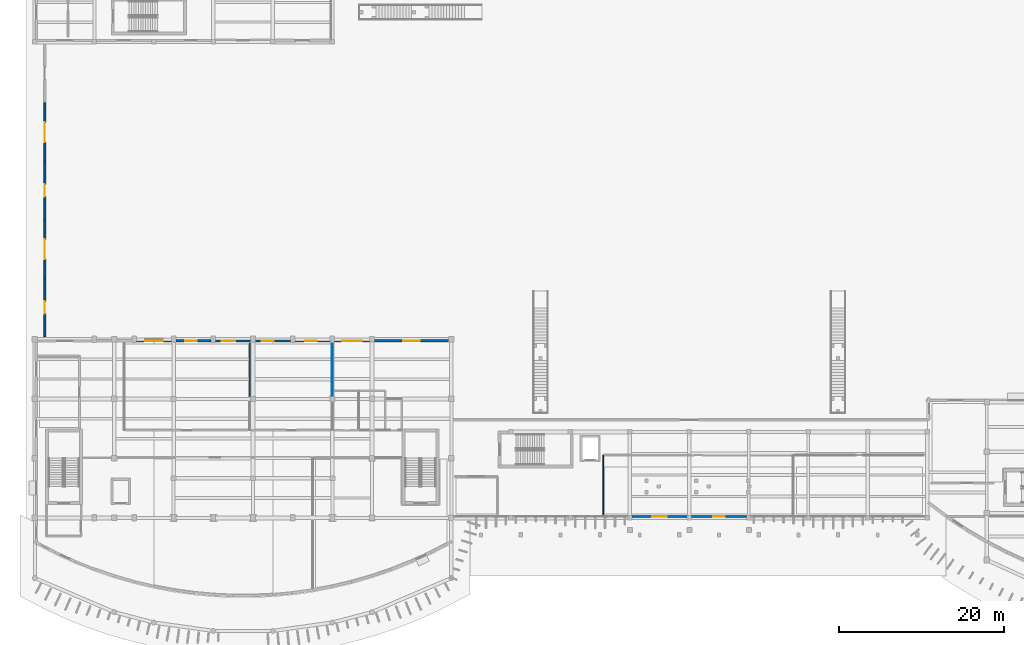
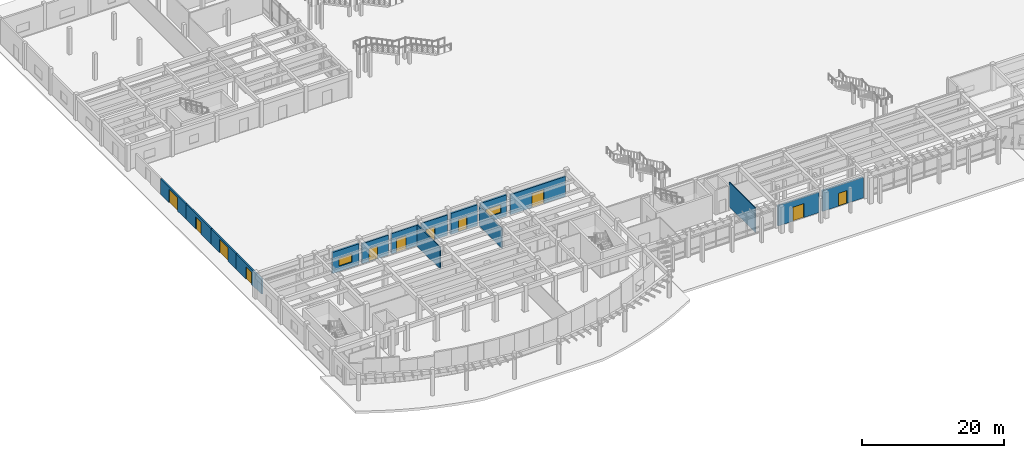
# One storey, part 30 of 58: 16 walls, 11 doors, 2 windows, 13 openings.
"""IFC4 building model written with IfcOpenShell, lengths in metres."""

from ifc_helpers import new_model, si_unit, direction, frame, frame_2d, origin, place, context, subcontext, project, spatial, rectangle, extrude, material, layer, layer_set, type_object, element, fill, save


model = new_model("IFC4")

# Units and contexts
model_context = context("Model", 3, precision=1e-05, world=origin(), true_north=direction((0.0, 1.0)))
body_context = subcontext(model_context, "Body", "Model", "MODEL_VIEW")
ifc_project = project(units=[si_unit("LENGTHUNIT", "METRE"), si_unit("AREAUNIT", "SQUARE_METRE"), si_unit("VOLUMEUNIT", "CUBIC_METRE"), si_unit("PLANEANGLEUNIT", "RADIAN"), si_unit("MASSUNIT", "GRAM", prefix="KILO")], contexts=[model_context])

# Site, building, storey
site_placement = place(None, origin())
site = spatial("IfcSite", under=ifc_project, at=site_placement, CompositionType="ELEMENT")
building_placement = place(site_placement, origin())
building = spatial("IfcBuilding", under=site, at=building_placement, Name="Brisavento Harbour Community Centre", CompositionType="ELEMENT")
storey_placement = place(building_placement, origin())
storey = spatial("IfcBuildingStorey", under=building, at=storey_placement, Name="L00", CompositionType="ELEMENT", Elevation=0.0)

# Wall, opening, door
ifc_material_1 = material(Name="Terracotta masonry unit", Category="masonry")
ifc_layer_1 = layer(ifc_material_1, 0.239990234375, Name="Terracotta masonry unit")
ifc_layer_set_1 = layer_set([ifc_layer_1], Name="Terracotta masonry unit")
wall_type_1 = type_object("IfcWallType", Name="WL-EXT-240", PredefinedType="SOLIDWALL", material=ifc_layer_set_1)
wall_1_placement = place(storey_placement, frame((26.659912109375, 35.820068359375, 0.0), z_axis=(0.0, 0.0, 1.0), x_axis=(1.0, 0.0, 0.0)))
wall_1 = element("IfcWall", 1, at=wall_1_placement, inside=storey, type_object=wall_type_1, Name="L00 V1 exterior wall 0093", PredefinedType="SOLIDWALL", context=body_context, shape_type="SweptSolid", body=[
    extrude(rectangle(XDim=4.280029296875, YDim=0.239990234375, at=frame_2d((2.14013671875, 0.0))), origin(), (0.0, 0.0, 1.0), 3.5400390625),
])
opening_1_placement = place(wall_1_placement, frame((0.820068359375, 0.0, 0.0)))
opening_1 = element("IfcOpeningElement", 2, at=opening_1_placement, cuts=wall_1, Name="Opening ED-05", PredefinedType="OPENING", context=body_context, shape_type="SweptSolid", body=[
    extrude(rectangle(XDim=1.39990234375, YDim=2.199951171875, at=frame_2d((0.699951171875, 1.10009765625))), frame((0.0, 0.1298828125, 0.0), z_axis=(0.0, -1.0, 0.0), x_axis=(1.0, 0.0, 0.0)), (0.0, 0.0, 1.0), 0.260009765625),
])
ifc_material_2 = material(Name="Marine-anodised aluminium AW-6063-T6", Category="aluminium")
door_type_1 = type_object("IfcDoorType", Name="DR-EXT-140x220", OperationType="NOTDEFINED", PredefinedType="DOOR", material=ifc_material_2)
door_1_placement = place(opening_1_placement, origin())
door_1 = element("IfcDoor", 3, at=door_1_placement, inside=storey, type_object=door_type_1, Name="L00 V1 exterior exit door 003", OperationType="SINGLE_SWING_RIGHT", OverallHeight=2.199951171875, OverallWidth=1.39990234375, PredefinedType="DOOR", context=body_context, shape_type="SweptSolid", body=[
    extrude(rectangle(XDim=1.39990234375, YDim=2.199951171875, at=frame_2d((0.699951171875, 1.10009765625))), frame((0.0, 0.02490234375, 0.0), z_axis=(0.0, -1.0, 0.0), x_axis=(1.0, 0.0, 0.0)), (0.0, 0.0, 1.0), 0.050048828125),
])
fill(opening_1, door_1)

wall_2_placement = place(storey_placement, frame((1.199951171875, 43.3798828125, 0.0), z_axis=(0.0, 0.0, 1.0), x_axis=(0.0, -1.0, 0.0)))
wall_2 = element("IfcWall", 4, at=wall_2_placement, inside=storey, type_object=wall_type_1, Name="L00 courtyard screen wall 01", PredefinedType="SOLIDWALL", context=body_context, shape_type="SweptSolid", body=[
    extrude(rectangle(XDim=7.079833984375, YDim=0.239990234375, at=frame_2d((3.5400390625, 0.0))), origin(), (0.0, 0.0, 1.0), 2.64990234375),
])
opening_2_placement = place(wall_2_placement, frame((2.7900390625, 0.0, 0.0)))
opening_2 = element("IfcOpeningElement", 5, at=opening_2_placement, cuts=wall_2, Name="Opening NG-01", PredefinedType="OPENING", context=body_context, shape_type="SweptSolid", body=[
    extrude(rectangle(XDim=1.5, YDim=2.10009765625, at=frame_2d((0.75, 1.050048828125))), frame((0.0, 0.1298828125, 0.0), z_axis=(0.0, -1.0, 0.0), x_axis=(1.0, 0.0, 0.0)), (0.0, 0.0, 1.0), 0.260009765625),
])
door_type_2 = type_object("IfcDoorType", Name="GT-NRS-150x210", OperationType="NOTDEFINED", PredefinedType="GATE", material=ifc_material_2)
door_2_placement = place(opening_2_placement, origin())
door_2 = element("IfcDoor", 6, at=door_2_placement, inside=storey, type_object=door_type_2, Name="L00 courtyard entrance gate 01", OperationType="SINGLE_SWING_RIGHT", OverallHeight=2.10009765625, OverallWidth=1.5, PredefinedType="GATE", context=body_context, shape_type="SweptSolid", body=[
    extrude(rectangle(XDim=1.5, YDim=2.10009765625, at=frame_2d((0.75, 1.050048828125))), frame((0.0, 0.02490234375, 0.0), z_axis=(0.0, -1.0, 0.0), x_axis=(1.0, 0.0, 0.0)), (0.0, 0.0, 1.0), 0.050048828125),
])
fill(opening_2, door_2)

wall_3_placement = place(storey_placement, frame((1.199951171875, 50.4599609375, 0.0), z_axis=(0.0, 0.0, 1.0), x_axis=(0.0, -1.0, 0.0)))
wall_3 = element("IfcWall", 7, at=wall_3_placement, inside=storey, type_object=wall_type_1, Name="L00 courtyard screen wall 02", PredefinedType="SOLIDWALL", context=body_context, shape_type="SweptSolid", body=[
    extrude(rectangle(XDim=7.080078125, YDim=0.239990234375, at=frame_2d((3.5400390625, 0.0))), origin(), (0.0, 0.0, 1.0), 2.64990234375),
])
opening_3_placement = place(wall_3_placement, frame((2.340087890625, 0.0, 0.0)))
opening_3 = element("IfcOpeningElement", 8, at=opening_3_placement, cuts=wall_3, Name="Opening CG-01", PredefinedType="OPENING", context=body_context, shape_type="SweptSolid", body=[
    extrude(rectangle(XDim=2.39990234375, YDim=2.300048828125, at=frame_2d((1.199951171875, 1.14990234375))), frame((0.0, 0.1298828125, 0.0), z_axis=(0.0, -1.0, 0.0), x_axis=(1.0, 0.0, 0.0)), (0.0, 0.0, 1.0), 0.260009765625),
])
door_type_3 = type_object("IfcDoorType", Name="GT-CRT-240x230", OperationType="NOTDEFINED", PredefinedType="GATE", material=ifc_material_2)
door_3_placement = place(opening_3_placement, origin())
door_3 = element("IfcDoor", 9, at=door_3_placement, inside=storey, type_object=door_type_3, Name="L00 courtyard entrance gate 02", OperationType="SINGLE_SWING_LEFT", OverallHeight=2.300048828125, OverallWidth=2.39990234375, PredefinedType="GATE", context=body_context, shape_type="SweptSolid", body=[
    extrude(rectangle(XDim=2.39990234375, YDim=2.300048828125, at=frame_2d((1.199951171875, 1.14990234375))), frame((0.0, 0.02490234375, 0.0), z_axis=(0.0, -1.0, 0.0), x_axis=(1.0, 0.0, 0.0)), (0.0, 0.0, 1.0), 0.050048828125),
])
fill(opening_3, door_3)

wall_4_placement = place(storey_placement, frame((1.199951171875, 57.5400390625, 0.0), z_axis=(0.0, 0.0, 1.0), x_axis=(0.0, -1.0, 0.0)))
wall_4 = element("IfcWall", 10, at=wall_4_placement, inside=storey, type_object=wall_type_1, Name="L00 courtyard screen wall 03", PredefinedType="SOLIDWALL", context=body_context, shape_type="SweptSolid", body=[
    extrude(rectangle(XDim=7.080078125, YDim=0.239990234375, at=frame_2d((3.5400390625, 0.0))), origin(), (0.0, 0.0, 1.0), 2.64990234375),
])
opening_4_placement = place(wall_4_placement, frame((2.7900390625, 0.0, 0.0)))
opening_4 = element("IfcOpeningElement", 11, at=opening_4_placement, cuts=wall_4, Name="Opening NG-01", PredefinedType="OPENING", context=body_context, shape_type="SweptSolid", body=[
    extrude(rectangle(XDim=1.5, YDim=2.10009765625, at=frame_2d((0.75, 1.050048828125))), frame((0.0, 0.1298828125, 0.0), z_axis=(0.0, -1.0, 0.0), x_axis=(1.0, 0.0, 0.0)), (0.0, 0.0, 1.0), 0.260009765625),
])
door_4_placement = place(opening_4_placement, origin())
door_4 = element("IfcDoor", 12, at=door_4_placement, inside=storey, type_object=door_type_2, Name="L00 courtyard entrance gate 03", OperationType="SINGLE_SWING_RIGHT", OverallHeight=2.10009765625, OverallWidth=1.5, PredefinedType="GATE", context=body_context, shape_type="SweptSolid", body=[
    extrude(rectangle(XDim=1.5, YDim=2.10009765625, at=frame_2d((0.75, 1.050048828125))), frame((0.0, 0.02490234375, 0.0), z_axis=(0.0, -1.0, 0.0), x_axis=(1.0, 0.0, 0.0)), (0.0, 0.0, 1.0), 0.050048828125),
])
fill(opening_4, door_4)

wall_5_placement = place(storey_placement, frame((1.199951171875, 64.6201171875, 0.0), z_axis=(0.0, 0.0, 1.0), x_axis=(0.0, -1.0, 0.0)))
wall_5 = element("IfcWall", 13, at=wall_5_placement, inside=storey, type_object=wall_type_1, Name="L00 courtyard screen wall 04", PredefinedType="SOLIDWALL", context=body_context, shape_type="SweptSolid", body=[
    extrude(rectangle(XDim=7.080078125, YDim=0.239990234375, at=frame_2d((3.5400390625, 0.0))), origin(), (0.0, 0.0, 1.0), 2.64990234375),
])
opening_5_placement = place(wall_5_placement, frame((2.340087890625, 0.0, 0.0)))
opening_5 = element("IfcOpeningElement", 14, at=opening_5_placement, cuts=wall_5, Name="Opening CG-01", PredefinedType="OPENING", context=body_context, shape_type="SweptSolid", body=[
    extrude(rectangle(XDim=2.39990234375, YDim=2.300048828125, at=frame_2d((1.199951171875, 1.14990234375))), frame((0.0, 0.1298828125, 0.0), z_axis=(0.0, -1.0, 0.0), x_axis=(1.0, 0.0, 0.0)), (0.0, 0.0, 1.0), 0.260009765625),
])
door_5_placement = place(opening_5_placement, origin())
door_5 = element("IfcDoor", 15, at=door_5_placement, inside=storey, type_object=door_type_3, Name="L00 courtyard entrance gate 04", OperationType="SINGLE_SWING_LEFT", OverallHeight=2.300048828125, OverallWidth=2.39990234375, PredefinedType="GATE", context=body_context, shape_type="SweptSolid", body=[
    extrude(rectangle(XDim=2.39990234375, YDim=2.300048828125, at=frame_2d((1.199951171875, 1.14990234375))), frame((0.0, 0.02490234375, 0.0), z_axis=(0.0, -1.0, 0.0), x_axis=(1.0, 0.0, 0.0)), (0.0, 0.0, 1.0), 0.050048828125),
])
fill(opening_5, door_5)

ifc_layer_2 = layer(ifc_material_1, 0.260009765625, Name="Terracotta masonry unit")
ifc_layer_set_2 = layer_set([ifc_layer_2], Name="Terracotta masonry unit")
wall_type_2 = type_object("IfcWallType", Name="WL-EXT-260", PredefinedType="SOLIDWALL", material=ifc_layer_set_2)
wall_6_placement = place(storey_placement, frame((21.860107421875, 35.820068359375, 0.0), z_axis=(0.0, 0.0, 1.0), x_axis=(1.0, 0.0, 0.0)))
wall_6 = element("IfcWall", 16, at=wall_6_placement, inside=storey, type_object=wall_type_2, Name="L00 V1 exterior wall 0092", PredefinedType="SOLIDWALL", context=body_context, shape_type="SweptSolid", body=[
    extrude(rectangle(XDim=4.27978515625, YDim=0.260009765625, at=frame_2d((2.139892578125, 0.0))), origin(), (0.0, 0.0, 1.0), 3.489990234375),
])
opening_6_placement = place(wall_6_placement, frame((0.77001953125, 0.0, 0.0)))
opening_6 = element("IfcOpeningElement", 17, at=opening_6_placement, cuts=wall_6, Name="Opening ED-04", PredefinedType="OPENING", context=body_context, shape_type="SweptSolid", body=[
    extrude(rectangle(XDim=1.60009765625, YDim=2.300048828125, at=frame_2d((0.800048828125, 1.14990234375))), frame((0.0, 0.14013671875, 0.0), z_axis=(0.0, -1.0, 0.0), x_axis=(1.0, 0.0, 0.0)), (0.0, 0.0, 1.0), 0.280029296875),
])
door_type_4 = type_object("IfcDoorType", Name="DR-EXT-160x230", OperationType="NOTDEFINED", PredefinedType="DOOR", material=ifc_material_2)
door_6_placement = place(opening_6_placement, origin())
door_6 = element("IfcDoor", 18, at=door_6_placement, inside=storey, type_object=door_type_4, Name="L00 V1 exterior exit door 002", OperationType="SINGLE_SWING_RIGHT", OverallHeight=2.300048828125, OverallWidth=1.60009765625, PredefinedType="DOOR", context=body_context, shape_type="SweptSolid", body=[
    extrude(rectangle(XDim=1.60009765625, YDim=2.300048828125, at=frame_2d((0.800048828125, 1.14990234375))), frame((0.0, 0.02490234375, 0.0), z_axis=(0.0, -1.0, 0.0), x_axis=(1.0, 0.0, 0.0)), (0.0, 0.0, 1.0), 0.050048828125),
])
fill(opening_6, door_6)

wall_7_placement = place(storey_placement, frame((78.93994140625, 14.580078125, 0.0), z_axis=(0.0, 0.0, 1.0), x_axis=(-1.0, 0.0, 0.0)))
wall_7 = element("IfcWall", 19, at=wall_7_placement, inside=storey, type_object=wall_type_2, Name="L00 V2 exterior wall 0102", PredefinedType="SOLIDWALL", context=body_context, shape_type="SweptSolid", body=[
    extrude(rectangle(XDim=6.679931640625, YDim=0.260009765625, at=frame_2d((3.33984375, 0.0))), origin(), (0.0, 0.0, 1.0), 3.489990234375),
])
opening_7_placement = place(wall_7_placement, frame((2.43994140625, 0.0, 0.0)))
opening_7 = element("IfcOpeningElement", 20, at=opening_7_placement, cuts=wall_7, Name="Opening ED-01", PredefinedType="OPENING", context=body_context, shape_type="SweptSolid", body=[
    extrude(rectangle(XDim=1.800048828125, YDim=2.39990234375, at=frame_2d((0.89990234375, 1.199951171875))), frame((0.0, 0.14013671875, 0.0), z_axis=(0.0, -1.0, 0.0), x_axis=(1.0, 0.0, 0.0)), (0.0, 0.0, 1.0), 0.280029296875),
])
door_type_5 = type_object("IfcDoorType", Name="DR-EXT-180x240", OperationType="NOTDEFINED", PredefinedType="DOOR", material=ifc_material_2)
door_7_placement = place(opening_7_placement, origin())
door_7 = element("IfcDoor", 21, at=door_7_placement, inside=storey, type_object=door_type_5, Name="L00 V2 exterior exit door 008", OperationType="SINGLE_SWING_LEFT", OverallHeight=2.39990234375, OverallWidth=1.800048828125, PredefinedType="DOOR", context=body_context, shape_type="SweptSolid", body=[
    extrude(rectangle(XDim=1.800048828125, YDim=2.39990234375, at=frame_2d((0.89990234375, 1.199951171875))), frame((0.0, 0.02490234375, 0.0), z_axis=(0.0, -1.0, 0.0), x_axis=(1.0, 0.0, 0.0)), (0.0, 0.0, 1.0), 0.050048828125),
])
fill(opening_7, door_7)

ifc_material_3 = material(Name="Precast concrete C40/50", Category="concrete")
ifc_layer_3 = layer(ifc_material_3, 0.280029296875, Name="Precast concrete C40/50")
ifc_layer_set_3 = layer_set([ifc_layer_3], Name="Precast concrete C40/50")
wall_type_3 = type_object("IfcWallType", Name="WL-EXT-280", PredefinedType="SOLIDWALL", material=ifc_layer_set_3)
wall_8_placement = place(storey_placement, frame((17.06005859375, 35.820068359375, 0.0), z_axis=(0.0, 0.0, 1.0), x_axis=(1.0, 0.0, 0.0)))
wall_8 = element("IfcWall", 22, at=wall_8_placement, inside=storey, type_object=wall_type_3, Name="L00 V1 exterior wall 0091", PredefinedType="SOLIDWALL", context=body_context, shape_type="SweptSolid", body=[
    extrude(rectangle(XDim=4.280029296875, YDim=0.280029296875, at=frame_2d((2.14013671875, 0.0))), origin(), (0.0, 0.0, 1.0), 3.43994140625),
])
opening_8_placement = place(wall_8_placement, frame((1.139892578125, 0.0, 0.0)))
opening_8 = element("IfcOpeningElement", 23, at=opening_8_placement, cuts=wall_8, Name="Opening ED-05", PredefinedType="OPENING", context=body_context, shape_type="SweptSolid", body=[
    extrude(rectangle(XDim=1.39990234375, YDim=2.199951171875, at=frame_2d((0.699951171875, 1.10009765625))), frame((0.0, 0.14990234375, 0.0), z_axis=(0.0, -1.0, 0.0), x_axis=(1.0, 0.0, 0.0)), (0.0, 0.0, 1.0), 0.300048828125),
])
door_8_placement = place(opening_8_placement, origin())
door_8 = element("IfcDoor", 24, at=door_8_placement, inside=storey, type_object=door_type_1, Name="L00 V1 exterior exit door 001", OperationType="SINGLE_SWING_RIGHT", OverallHeight=2.199951171875, OverallWidth=1.39990234375, PredefinedType="DOOR", context=body_context, shape_type="SweptSolid", body=[
    extrude(rectangle(XDim=1.39990234375, YDim=2.199951171875, at=frame_2d((0.699951171875, 1.10009765625))), frame((0.0, 0.02490234375, 0.0), z_axis=(0.0, -1.0, 0.0), x_axis=(1.0, 0.0, 0.0)), (0.0, 0.0, 1.0), 0.050048828125),
])
fill(opening_8, door_8)

wall_9_placement = place(storey_placement, frame((41.110107421875, 35.820068359375, 0.0), z_axis=(0.0, 0.0, 1.0), x_axis=(1.0, 0.0, 0.0)))
wall_9 = element("IfcWall", 25, at=wall_9_placement, inside=storey, type_object=wall_type_3, Name="L00 V1 exterior wall 0096", PredefinedType="SOLIDWALL", context=body_context, shape_type="SweptSolid", body=[
    extrude(rectangle(XDim=8.97998046875, YDim=0.280029296875, at=frame_2d((4.489990234375, 0.0))), origin(), (0.0, 0.0, 1.0), 3.43994140625),
])
opening_9_placement = place(wall_9_placement, frame((3.489990234375, 0.0, 0.0)))
opening_9 = element("IfcOpeningElement", 26, at=opening_9_placement, cuts=wall_9, Name="Opening ED-02", PredefinedType="OPENING", context=body_context, shape_type="SweptSolid", body=[
    extrude(rectangle(XDim=2.0, YDim=2.39990234375, at=frame_2d((1.0, 1.199951171875))), frame((0.0, 0.14990234375, 0.0), z_axis=(0.0, -1.0, 0.0), x_axis=(1.0, 0.0, 0.0)), (0.0, 0.0, 1.0), 0.300048828125),
])
door_type_6 = type_object("IfcDoorType", Name="DR-EXT-200x240", OperationType="NOTDEFINED", PredefinedType="DOOR", material=ifc_material_2)
door_9_placement = place(opening_9_placement, origin())
door_9 = element("IfcDoor", 27, at=door_9_placement, inside=storey, type_object=door_type_6, Name="L00 V1 exterior exit door 005", OperationType="SINGLE_SWING_RIGHT", OverallHeight=2.39990234375, OverallWidth=2.0, PredefinedType="DOOR", context=body_context, shape_type="SweptSolid", body=[
    extrude(rectangle(XDim=2.0, YDim=2.39990234375, at=frame_2d((1.0, 1.199951171875))), frame((0.0, 0.02490234375, 0.0), z_axis=(0.0, -1.0, 0.0), x_axis=(1.0, 0.0, 0.0)), (0.0, 0.0, 1.0), 0.050048828125),
])
fill(opening_9, door_9)

wall_10_placement = place(storey_placement, frame((86.139892578125, 14.580078125, 0.0), z_axis=(0.0, 0.0, 1.0), x_axis=(-1.0, 0.0, 0.0)))
wall_10 = element("IfcWall", 28, at=wall_10_placement, inside=storey, type_object=wall_type_3, Name="L00 V2 exterior wall 0101", PredefinedType="SOLIDWALL", context=body_context, shape_type="SweptSolid", body=[
    extrude(rectangle(XDim=6.679931640625, YDim=0.280029296875, at=frame_2d((3.33984375, 0.0))), origin(), (0.0, 0.0, 1.0), 3.5400390625),
])
opening_10_placement = place(wall_10_placement, frame((2.639892578125, 0.0, 0.0)))
opening_10 = element("IfcOpeningElement", 29, at=opening_10_placement, cuts=wall_10, Name="Opening ED-05", PredefinedType="OPENING", context=body_context, shape_type="SweptSolid", body=[
    extrude(rectangle(XDim=1.39990234375, YDim=2.199951171875, at=frame_2d((0.699951171875, 1.10009765625))), frame((0.0, 0.14990234375, 0.0), z_axis=(0.0, -1.0, 0.0), x_axis=(1.0, 0.0, 0.0)), (0.0, 0.0, 1.0), 0.300048828125),
])
door_10_placement = place(opening_10_placement, origin())
door_10 = element("IfcDoor", 30, at=door_10_placement, inside=storey, type_object=door_type_1, Name="L00 V2 exterior exit door 007", OperationType="SINGLE_SWING_RIGHT", OverallHeight=2.199951171875, OverallWidth=1.39990234375, PredefinedType="DOOR", context=body_context, shape_type="SweptSolid", body=[
    extrude(rectangle(XDim=1.39990234375, YDim=2.199951171875, at=frame_2d((0.699951171875, 1.10009765625))), frame((0.0, 0.02490234375, 0.0), z_axis=(0.0, -1.0, 0.0), x_axis=(1.0, 0.0, 0.0)), (0.0, 0.0, 1.0), 0.050048828125),
])
fill(opening_10, door_10)

# Wall, opening, window
ifc_material_4 = material(Name="Concrete C35/45", Category="concrete")
ifc_layer_4 = layer(ifc_material_4, 0.300048828125, Name="Concrete C35/45")
ifc_layer_set_4 = layer_set([ifc_layer_4], Name="Concrete C35/45")
wall_type_4 = type_object("IfcWallType", Name="WL-EXT-300", PredefinedType="SOLIDWALL", material=ifc_layer_set_4)
wall_11_placement = place(storey_placement, frame((12.260009765625, 35.820068359375, 0.0), z_axis=(0.0, 0.0, 1.0), x_axis=(1.0, 0.0, 0.0)))
wall_11 = element("IfcWall", 31, at=wall_11_placement, inside=storey, type_object=wall_type_4, Name="L00 V1 exterior wall 0090", PredefinedType="SOLIDWALL", context=body_context, shape_type="SweptSolid", body=[
    extrude(rectangle(XDim=4.280029296875, YDim=0.300048828125, at=frame_2d((2.14013671875, 0.0))), origin(), (0.0, 0.0, 1.0), 3.639892578125),
])
opening_11_placement = place(wall_11_placement, frame((1.090087890625, 0.0, 0.89990234375)))
opening_11 = element("IfcOpeningElement", 32, at=opening_11_placement, cuts=wall_11, Name="Opening W-12", PredefinedType="OPENING", context=body_context, shape_type="SweptSolid", body=[
    extrude(rectangle(XDim=2.10009765625, YDim=1.35009765625, at=frame_2d((1.050048828125, 0.675048828125))), frame((0.0, 0.16015625, 0.0), z_axis=(0.0, -1.0, 0.0), x_axis=(1.0, 0.0, 0.0)), (0.0, 0.0, 1.0), 0.320068359375),
])
ifc_material_5 = material(Name="Solar-control laminated low-E glass", Category="glass")
window_type_1 = type_object("IfcWindowType", Name="WIN-CAS-12", PartitioningType="SINGLE_PANEL", PredefinedType="WINDOW", material=ifc_material_5)
window_1_placement = place(opening_11_placement, origin())
window_1 = element("IfcWindow", 33, at=window_1_placement, inside=storey, type_object=window_type_1, Name="L00 V1 impact casement window 0012", OverallHeight=1.35009765625, OverallWidth=2.10009765625, PartitioningType="SINGLE_PANEL", PredefinedType="WINDOW", context=body_context, shape_type="SweptSolid", body=[
    extrude(rectangle(XDim=2.10009765625, YDim=1.35009765625, at=frame_2d((1.050048828125, 0.675048828125))), frame((0.0, 0.030029296875, 0.0), z_axis=(0.0, -1.0, 0.0), x_axis=(1.0, 0.0, 0.0)), (0.0, 0.0, 1.0), 0.06005859375),
])
fill(opening_11, window_1)

wall_12_placement = place(storey_placement, frame((36.260009765625, 35.820068359375, 0.0), z_axis=(0.0, 0.0, 1.0), x_axis=(1.0, 0.0, 0.0)))
wall_12 = element("IfcWall", 34, at=wall_12_placement, inside=storey, type_object=wall_type_4, Name="L00 V1 exterior wall 0095", PredefinedType="SOLIDWALL", context=body_context, shape_type="SweptSolid", body=[
    extrude(rectangle(XDim=4.22998046875, YDim=0.300048828125, at=frame_2d((2.114990234375, 0.0))), origin(), (0.0, 0.0, 1.0), 3.639892578125),
])
opening_12_placement = place(wall_12_placement, frame((0.9150390625, 0.0, 0.89990234375)))
opening_12 = element("IfcOpeningElement", 35, at=opening_12_placement, cuts=wall_12, Name="Opening W-13", PredefinedType="OPENING", context=body_context, shape_type="SweptSolid", body=[
    extrude(rectangle(XDim=2.39990234375, YDim=1.35009765625, at=frame_2d((1.199951171875, 0.675048828125))), frame((0.0, 0.16015625, 0.0), z_axis=(0.0, -1.0, 0.0), x_axis=(1.0, 0.0, 0.0)), (0.0, 0.0, 1.0), 0.320068359375),
])
window_type_2 = type_object("IfcWindowType", Name="WIN-CAS-13", PartitioningType="SINGLE_PANEL", PredefinedType="WINDOW", material=ifc_material_5)
window_2_placement = place(opening_12_placement, origin())
window_2 = element("IfcWindow", 36, at=window_2_placement, inside=storey, type_object=window_type_2, Name="L00 V1 impact casement window 0013", OverallHeight=1.35009765625, OverallWidth=2.39990234375, PartitioningType="SINGLE_PANEL", PredefinedType="WINDOW", context=body_context, shape_type="SweptSolid", body=[
    extrude(rectangle(XDim=2.39990234375, YDim=1.35009765625, at=frame_2d((1.199951171875, 0.675048828125))), frame((0.0, 0.030029296875, 0.0), z_axis=(0.0, -1.0, 0.0), x_axis=(1.0, 0.0, 0.0)), (0.0, 0.0, 1.0), 0.06005859375),
])
fill(opening_12, window_2)

# Wall, opening, door
ifc_layer_5 = layer(ifc_material_4, 0.320068359375, Name="Concrete C35/45")
ifc_layer_set_5 = layer_set([ifc_layer_5], Name="Concrete C35/45")
wall_type_5 = type_object("IfcWallType", Name="WL-EXT-320", PredefinedType="SOLIDWALL", material=ifc_layer_set_5)
wall_13_placement = place(storey_placement, frame((31.4599609375, 35.820068359375, 0.0), z_axis=(0.0, 0.0, 1.0), x_axis=(1.0, 0.0, 0.0)))
wall_13 = element("IfcWall", 37, at=wall_13_placement, inside=storey, type_object=wall_type_5, Name="L00 V1 exterior wall 0094", PredefinedType="SOLIDWALL", context=body_context, shape_type="SweptSolid", body=[
    extrude(rectangle(XDim=4.280029296875, YDim=0.320068359375, at=frame_2d((2.14013671875, 0.0))), origin(), (0.0, 0.0, 1.0), 3.590087890625),
])
opening_13_placement = place(wall_13_placement, frame((1.239990234375, 0.0, 0.0)))
opening_13 = element("IfcOpeningElement", 38, at=opening_13_placement, cuts=wall_13, Name="Opening ED-05", PredefinedType="OPENING", context=body_context, shape_type="SweptSolid", body=[
    extrude(rectangle(XDim=1.39990234375, YDim=2.199951171875, at=frame_2d((0.699951171875, 1.10009765625))), frame((0.0, 0.169921875, 0.0), z_axis=(0.0, -1.0, 0.0), x_axis=(1.0, 0.0, 0.0)), (0.0, 0.0, 1.0), 0.340087890625),
])
door_11_placement = place(opening_13_placement, origin())
door_11 = element("IfcDoor", 39, at=door_11_placement, inside=storey, type_object=door_type_1, Name="L00 V1 exterior exit door 004", OperationType="SINGLE_SWING_LEFT", OverallHeight=2.199951171875, OverallWidth=1.39990234375, PredefinedType="DOOR", context=body_context, shape_type="SweptSolid", body=[
    extrude(rectangle(XDim=1.39990234375, YDim=2.199951171875, at=frame_2d((0.699951171875, 1.10009765625))), frame((0.0, 0.02490234375, 0.0), z_axis=(0.0, -1.0, 0.0), x_axis=(1.0, 0.0, 0.0)), (0.0, 0.0, 1.0), 0.050048828125),
])
fill(opening_13, door_11)

# Walls
ifc_material_6 = material(Name="Lightweight stud partition", Category="other")
ifc_layer_6 = layer(ifc_material_6, 0.10009765625, Name="Lightweight stud partition")
ifc_layer_set_6 = layer_set([ifc_layer_6], Name="Lightweight stud partition")
wall_type_6 = type_object("IfcWallType", Name="WL-PRT-100", PredefinedType="PARTITIONING", material=ifc_layer_set_6)
wall_14_placement = place(storey_placement, frame((36.0, 29.139892578125, 0.0), z_axis=(0.0, 0.0, 1.0), x_axis=(0.0, 1.0, 0.0)))
element("IfcWall", 40, at=wall_14_placement, inside=storey, type_object=wall_type_6, Name="L00 Neighbourhood Welcome Desk partition 0055", PredefinedType="PARTITIONING", context=body_context, shape_type="SweptSolid", body=[
    extrude(rectangle(XDim=6.420166015625, YDim=0.10009765625, at=frame_2d((3.2099609375, 0.0))), origin(), (0.0, 0.0, 1.0), 3.489990234375),
])
ifc_material_7 = material(Name="Gypsum metal-stud partition", Category="other")
ifc_layer_7 = layer(ifc_material_7, 0.139892578125, Name="Gypsum metal-stud partition")
ifc_layer_set_7 = layer_set([ifc_layer_7], Name="Gypsum metal-stud partition")
wall_type_7 = type_object("IfcWallType", Name="WL-PRT-140", PredefinedType="PARTITIONING", material=ifc_layer_set_7)
wall_15_placement = place(storey_placement, frame((68.800048828125, 22.0, 0.0), z_axis=(0.0, 0.0, 1.0), x_axis=(0.0, -1.0, 0.0)))
element("IfcWall", 41, at=wall_15_placement, inside=storey, type_object=wall_type_7, Name="L00 Civic Entrance Concourse partition 0057", PredefinedType="PARTITIONING", context=body_context, shape_type="SweptSolid", body=[
    extrude(rectangle(XDim=7.300048828125, YDim=0.139892578125, at=frame_2d((3.64990234375, 0.0))), origin(), (0.0, 0.0, 1.0), 4.239990234375),
])
ifc_material_8 = material(Name="Moisture-resistant stud partition", Category="other")
ifc_layer_8 = layer(ifc_material_8, 0.14990234375, Name="Moisture-resistant stud partition")
ifc_layer_set_8 = layer_set([ifc_layer_8], Name="Moisture-resistant stud partition")
wall_type_8 = type_object("IfcWallType", Name="WL-PRT-150", PredefinedType="PARTITIONING", material=ifc_layer_set_8)
wall_16_placement = place(storey_placement, frame((26.0, 29.139892578125, 0.0), z_axis=(0.0, 0.0, 1.0), x_axis=(0.0, 1.0, 0.0)))
element("IfcWall", 42, at=wall_16_placement, inside=storey, type_object=wall_type_8, Name="L00 Centre Administration Workroom partition 0052", PredefinedType="PARTITIONING", context=body_context, shape_type="SweptSolid", body=[
    extrude(rectangle(XDim=6.420166015625, YDim=0.14990234375, at=frame_2d((3.2099609375, 0.0))), origin(), (0.0, 0.0, 1.0), 3.68994140625),
])

save(model, "model.ifc")
